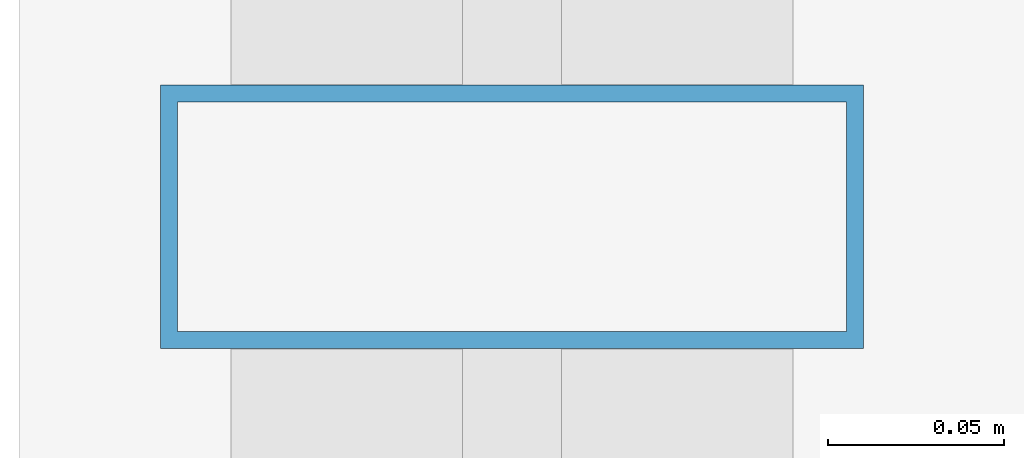
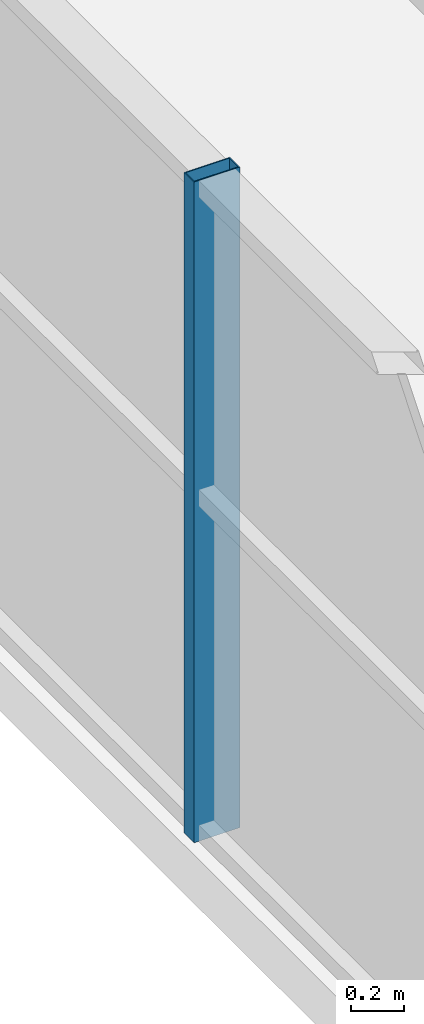
# One storey, part 8 of 30: 1 member, 1 element without a shape of its own.
"""IFC4 building model written with IfcOpenShell, lengths in metres."""

from ifc_helpers import new_model, si_unit, direction, frame, origin, origin_2d, place, context, subcontext, project, spatial, hollow_rectangle, extrude, source, transform, mapped, material, layer, layer_set, material_profile, profile_set, type_object, element, aggregate, save


model = new_model("IFC4")

# Units and contexts
model_context = context("Model", 3, precision=1e-05, world=origin(), true_north=direction((0.0, 1.0)))
body_context = subcontext(model_context, "Body", "Model", "MODEL_VIEW")
ifc_project = project(units=[si_unit("LENGTHUNIT", "METRE"), si_unit("AREAUNIT", "SQUARE_METRE"), si_unit("VOLUMEUNIT", "CUBIC_METRE"), si_unit("PLANEANGLEUNIT", "RADIAN"), si_unit("MASSUNIT", "GRAM", prefix="KILO")], contexts=[model_context])

# Site, building, storey
site_placement = place(None, origin())
site = spatial("IfcSite", under=ifc_project, at=site_placement, CompositionType="ELEMENT")
building_placement = place(site_placement, origin())
building = spatial("IfcBuilding", under=site, at=building_placement, Name="Zarnakvel Exchange Tower", CompositionType="ELEMENT")
storey_placement = place(building_placement, frame((0.0, 0.0, 43.89990234375)))
storey = spatial("IfcBuildingStorey", under=building, at=storey_placement, Name="L11", CompositionType="ELEMENT", Elevation=43.89990234375)

# Curtain wall, member
ifc_material = material(Name="Architectural Bronze Anodised Aluminium", Category="aluminium")
ifc_layer = layer(ifc_material, 0.199951171875)
ifc_layer_set = layer_set([ifc_layer], Name="Architectural Bronze Anodised Aluminium")
curtain_wall_type = type_object("IfcCurtainWallType", Name="CW-04", PredefinedType="NOTDEFINED", material=ifc_layer_set)
curtain_wall_placement = place(storey_placement, origin())
curtain_wall = element("IfcCurtainWall", 1, at=curtain_wall_placement, inside=storey, type_object=curtain_wall_type, Name="L11 Curtain Wall CW-L11-W1 (CW-04)", PredefinedType="NOTDEFINED")
ifc_material_profile = material_profile(ifc_material, hollow_rectangle(XDim=0.199951171875, YDim=0.074951171875, WallThickness=0.0048828125, at=origin_2d()))
ifc_profile_set = profile_set([ifc_material_profile], Name="Architectural Bronze Anodised Aluminium")
member_type = type_object("IfcMemberType", Name="CWM-04", PredefinedType="MULLION", material=ifc_profile_set)
shared_shape = source(origin(), body_context, "Body", "SweptSolid", [
    extrude(hollow_rectangle(XDim=0.199951171875, YDim=0.074951171875, WallThickness=0.0048828125, at=origin_2d()), origin(), (0.0, 0.0, 1.0), 3.05517578125),
])
member_placement = place(storey_placement, frame((-32.4599609375, 0.0, 0.0), z_axis=(0.0, 0.0, 1.0), x_axis=(-1.0, 0.0, 0.0)))
member = element("IfcMember", 2, at=member_placement, type_object=member_type, Name="CW-04 mullion 3", PredefinedType="MULLION", context=body_context, shape_type="MappedRepresentation", body=[
    mapped(shared_shape, transform((0.0, 0.0, 0.0), x_axis=(1.0, 0.0, 0.0), y_axis=(0.0, 1.0, 0.0), z_axis=(0.0, 0.0, 1.0), scale=1.0)),
])
aggregate(curtain_wall, [member])

save(model, "model.ifc")
